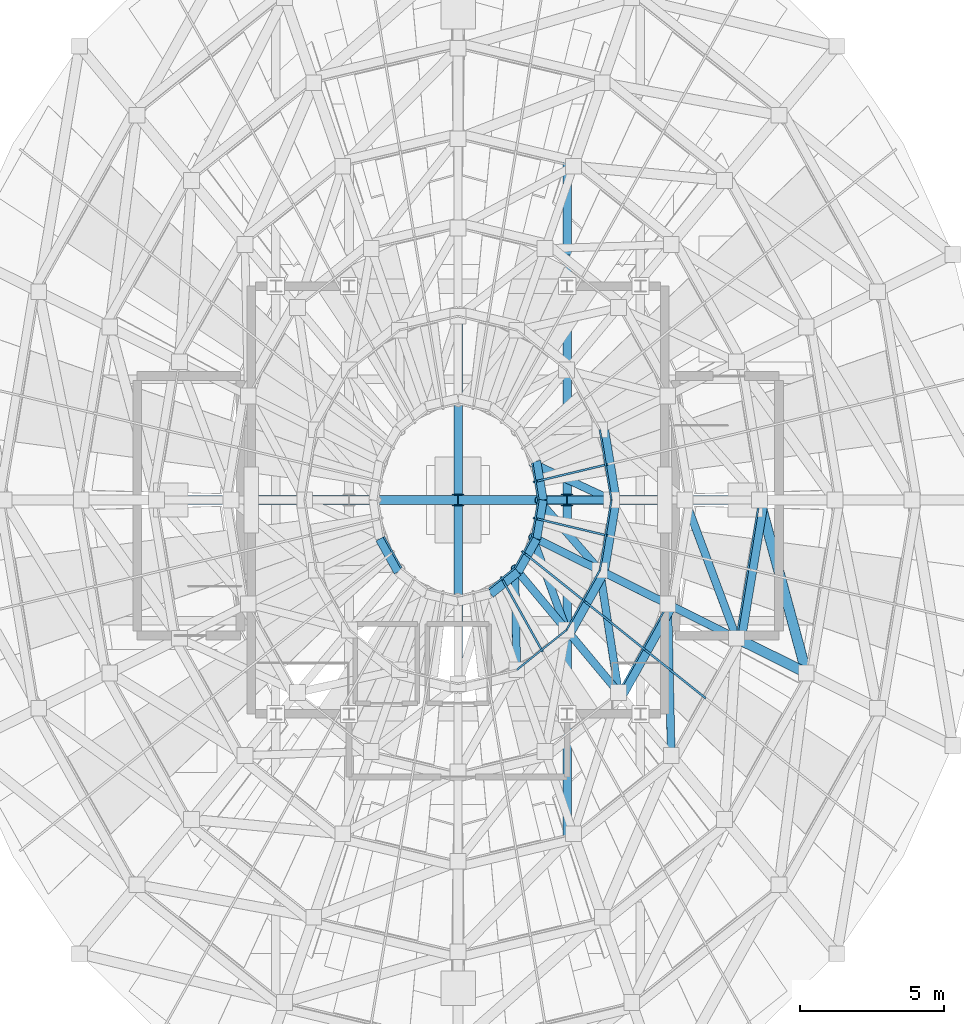
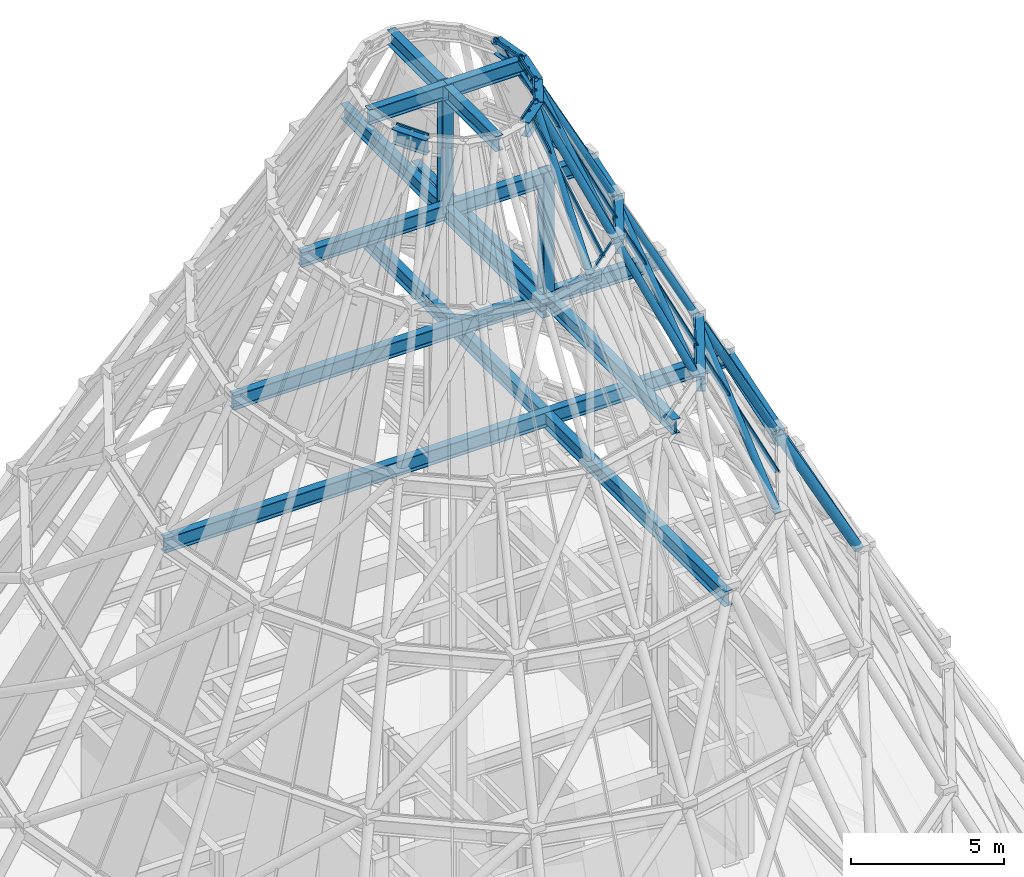
# One storey, part 6 of 16: 34 members, 18 beams, 4 elements without a shape of their own.
"""IFC4 building model written with IfcOpenShell, lengths in metres."""

from ifc_helpers import new_model, si_unit, direction, frame, origin, origin_2d, place, context, subcontext, project, spatial, hollow_rectangle, hollow_circle, i_section, extrude, material, layer, layer_set, material_profile, profile_set, type_object, element, aggregate, save


model = new_model("IFC4")

# Units and contexts
model_context = context("Model", 3, precision=1e-05, world=origin(), true_north=direction((0.0, 1.0)))
body_context = subcontext(model_context, "Body", "Model", "MODEL_VIEW")
ifc_project = project(units=[si_unit("LENGTHUNIT", "METRE"), si_unit("AREAUNIT", "SQUARE_METRE"), si_unit("VOLUMEUNIT", "CUBIC_METRE"), si_unit("PLANEANGLEUNIT", "RADIAN"), si_unit("MASSUNIT", "GRAM", prefix="KILO")], contexts=[model_context])

# Site, building, storey
site_placement = place(None, origin())
site = spatial("IfcSite", under=ifc_project, at=site_placement, CompositionType="ELEMENT")
building_placement = place(site_placement, origin())
building = spatial("IfcBuilding", under=site, at=building_placement, Name="Veldorina Hangang Commons", CompositionType="ELEMENT")
storey_placement = place(building_placement, frame((0.0, 0.0, 308.39990234375)))
storey = spatial("IfcBuildingStorey", under=building, at=storey_placement, Name="Crown", CompositionType="ELEMENT", Elevation=308.39990234375)

# Beams
ifc_material_1 = material(Name="Steel SM460-TMC", Category="steel")
ifc_material_profile_1 = material_profile(ifc_material_1, i_section(OverallWidth=0.300048828125, OverallDepth=0.587890625, WebThickness=0.011962890625, FlangeThickness=0.02001953125, FilletRadius=0.01806640625, at=origin_2d()), Name="H-588x300x12x20")
ifc_profile_set_1 = profile_set([ifc_material_profile_1], Name="Steel SM460-TMC")
beam_type = type_object("IfcBeamType", Name="BM-FG588", PredefinedType="BEAM", material=ifc_profile_set_1)
beam_1_placement = place(storey_placement, frame((35.800048828125, 12.057861328125, 14.10009765625), z_axis=(0.0, 1.0, 0.0), x_axis=(-1.0, 0.0, 0.0)))
element("IfcBeam", 1, at=beam_1_placement, inside=storey, type_object=beam_type, Name="Crown tier 3 E inner grillage beam", PredefinedType="BEAM", context=body_context, shape_type="SweptSolid", body=[
    extrude(i_section(OverallWidth=0.300048828125, OverallDepth=0.587890625, WebThickness=0.011962890625, FlangeThickness=0.02001953125, FilletRadius=0.01806640625, at=origin_2d()), origin(), (0.0, 0.0, 1.0), 23.88427734375),
])
beam_2_placement = place(storey_placement, frame((21.3349609375, 24.0, 14.10009765625), z_axis=(1.0, 0.0, 0.0), x_axis=(0.0, 1.0, 0.0)))
element("IfcBeam", 2, at=beam_2_placement, inside=storey, type_object=beam_type, Name="Crown tier 3 central east-west grillage beam", PredefinedType="BEAM", context=body_context, shape_type="SweptSolid", body=[
    extrude(i_section(OverallWidth=0.300048828125, OverallDepth=0.587890625, WebThickness=0.011962890625, FlangeThickness=0.02001953125, FilletRadius=0.01806640625, at=origin_2d()), origin(), (0.0, 0.0, 1.0), 21.330078125),
])
beam_3_placement = place(storey_placement, frame((41.853271484375, 19.10888671875, 14.10009765625), z_axis=(0.163728199347, 0.986505487435, 0.0), x_axis=(-0.986505487435, 0.163728199347, 0.0)))
element("IfcBeam", 3, at=beam_3_placement, inside=storey, type_object=beam_type, Name="Crown tier 3 ring beam 15", PredefinedType="BEAM", context=body_context, shape_type="SweptSolid", body=[
    extrude(i_section(OverallWidth=0.300048828125, OverallDepth=0.587890625, WebThickness=0.011962890625, FlangeThickness=0.02001953125, FilletRadius=0.01806640625, at=origin_2d()), origin(), (0.0, 0.0, 1.0), 4.9580078125),
])
beam_4_placement = place(storey_placement, frame((35.800048828125, 15.467041015625, 18.900146484375), z_axis=(0.0, 1.0, 0.0), x_axis=(-1.0, 0.0, 0.0)))
element("IfcBeam", 4, at=beam_4_placement, inside=storey, type_object=beam_type, Name="Crown tier 4 E inner grillage beam", PredefinedType="BEAM", context=body_context, shape_type="SweptSolid", body=[
    extrude(i_section(OverallWidth=0.300048828125, OverallDepth=0.587890625, WebThickness=0.011962890625, FlangeThickness=0.02001953125, FilletRadius=0.01806640625, at=origin_2d()), origin(), (0.0, 0.0, 1.0), 17.06591796875),
])
beam_5_placement = place(storey_placement, frame((23.92919921875, 24.0, 18.900146484375), z_axis=(1.0, 0.0, 0.0), x_axis=(0.0, 1.0, 0.0)))
element("IfcBeam", 5, at=beam_5_placement, inside=storey, type_object=beam_type, Name="Crown tier 4 central east-west grillage beam", PredefinedType="BEAM", context=body_context, shape_type="SweptSolid", body=[
    extrude(i_section(OverallWidth=0.300048828125, OverallDepth=0.587890625, WebThickness=0.011962890625, FlangeThickness=0.02001953125, FilletRadius=0.01806640625, at=origin_2d()), origin(), (0.0, 0.0, 1.0), 16.1416015625),
])
beam_6_placement = place(storey_placement, frame((37.70703125, 17.160888671875, 18.900146484375), z_axis=(0.486992551607, 0.873406122419, 0.0), x_axis=(-0.873406122419, 0.486992551607, 0.0)))
element("IfcBeam", 6, at=beam_6_placement, inside=storey, type_object=beam_type, Name="Crown tier 4 ring beam 14", PredefinedType="BEAM", context=body_context, shape_type="SweptSolid", body=[
    extrude(i_section(OverallWidth=0.300048828125, OverallDepth=0.587890625, WebThickness=0.011962890625, FlangeThickness=0.02001953125, FilletRadius=0.01806640625, at=origin_2d()), origin(), (0.0, 0.0, 1.0), 3.592529296875),
])
beam_7_placement = place(storey_placement, frame((26.49658203125, 24.0, 23.7001953125), z_axis=(1.0, 0.0, 0.0), x_axis=(0.0, 1.0, 0.0)))
element("IfcBeam", 7, at=beam_7_placement, inside=storey, type_object=beam_type, Name="Crown tier 5 spire tie beam", PredefinedType="BEAM", context=body_context, shape_type="SweptSolid", body=[
    extrude(i_section(OverallWidth=0.300048828125, OverallDepth=0.587890625, WebThickness=0.011962890625, FlangeThickness=0.02001953125, FilletRadius=0.01806640625, at=origin_2d()), origin(), (0.0, 0.0, 1.0), 11.0068359375),
])
beam_8_placement = place(storey_placement, frame((32.0, 17.40478515625, 23.7001953125), z_axis=(0.0, 1.0, 0.0), x_axis=(-1.0, 0.0, 0.0)))
element("IfcBeam", 8, at=beam_8_placement, inside=storey, type_object=beam_type, Name="Crown tier 5 north-south spire tie beam", PredefinedType="BEAM", context=body_context, shape_type="SweptSolid", body=[
    extrude(i_section(OverallWidth=0.300048828125, OverallDepth=0.587890625, WebThickness=0.011962890625, FlangeThickness=0.02001953125, FilletRadius=0.01806640625, at=origin_2d()), origin(), (0.0, 0.0, 1.0), 13.1904296875),
])
beam_9_placement = place(storey_placement, frame((37.50341796875, 24.0, 23.7001953125), z_axis=(-0.163764447307, 0.986499470754, 0.0), x_axis=(-0.986499470754, -0.163764447307, 0.0)))
element("IfcBeam", 9, at=beam_9_placement, inside=storey, type_object=beam_type, Name="Crown tier 5 ring beam 00", PredefinedType="BEAM", context=body_context, shape_type="SweptSolid", body=[
    extrude(i_section(OverallWidth=0.300048828125, OverallDepth=0.587890625, WebThickness=0.011962890625, FlangeThickness=0.02001953125, FilletRadius=0.01806640625, at=origin_2d()), origin(), (0.0, 0.0, 1.0), 2.55810546875),
])
beam_10_placement = place(storey_placement, frame((35.891357421875, 19.336669921875, 23.7001953125), z_axis=(0.487021535695, 0.873389960882, 0.0), x_axis=(-0.873389960882, 0.487021535695, 0.0)))
element("IfcBeam", 10, at=beam_10_placement, inside=storey, type_object=beam_type, Name="Crown tier 5 ring beam 14", PredefinedType="BEAM", context=body_context, shape_type="SweptSolid", body=[
    extrude(i_section(OverallWidth=0.300048828125, OverallDepth=0.587890625, WebThickness=0.011962890625, FlangeThickness=0.02001953125, FilletRadius=0.01806640625, at=origin_2d()), origin(), (0.0, 0.0, 1.0), 2.44970703125),
])
beam_11_placement = place(storey_placement, frame((37.08447265625, 21.476318359375, 23.7001953125), z_axis=(0.163764447307, 0.986499470754, 0.0), x_axis=(-0.986499470754, 0.163764447307, 0.0)))
element("IfcBeam", 11, at=beam_11_placement, inside=storey, type_object=beam_type, Name="Crown tier 5 ring beam 15", PredefinedType="BEAM", context=body_context, shape_type="SweptSolid", body=[
    extrude(i_section(OverallWidth=0.300048828125, OverallDepth=0.587890625, WebThickness=0.011962890625, FlangeThickness=0.02001953125, FilletRadius=0.01806640625, at=origin_2d()), origin(), (0.0, 0.0, 1.0), 2.55810546875),
])
beam_12_placement = place(storey_placement, frame((29.04345703125, 24.0, 28.5), z_axis=(1.0, 0.0, 0.0), x_axis=(0.0, 1.0, 0.0)))
element("IfcBeam", 12, at=beam_12_placement, inside=storey, type_object=beam_type, Name="Crown tier 6 east-west apex tie beam", PredefinedType="BEAM", context=body_context, shape_type="SweptSolid", body=[
    extrude(i_section(OverallWidth=0.300048828125, OverallDepth=0.587890625, WebThickness=0.011962890625, FlangeThickness=0.02001953125, FilletRadius=0.01806640625, at=origin_2d()), origin(), (0.0, 0.0, 1.0), 5.9130859375),
])
beam_13_placement = place(storey_placement, frame((32.0, 20.456787109375, 28.5), z_axis=(0.0, 1.0, 0.0), x_axis=(-1.0, 0.0, 0.0)))
element("IfcBeam", 13, at=beam_13_placement, inside=storey, type_object=beam_type, Name="Crown tier 6 north-south apex tie beam", PredefinedType="BEAM", context=body_context, shape_type="SweptSolid", body=[
    extrude(i_section(OverallWidth=0.300048828125, OverallDepth=0.587890625, WebThickness=0.011962890625, FlangeThickness=0.02001953125, FilletRadius=0.01806640625, at=origin_2d()), origin(), (0.0, 0.0, 1.0), 7.08642578125),
])
beam_14_placement = place(storey_placement, frame((34.95654296875, 24.0, 28.5), z_axis=(-0.16359241985, 0.986528012865, 0.0), x_axis=(-0.986528012865, -0.16359241985, 0.0)))
element("IfcBeam", 14, at=beam_14_placement, inside=storey, type_object=beam_type, Name="Crown tier 6 ring beam 00", PredefinedType="BEAM", context=body_context, shape_type="SweptSolid", body=[
    extrude(i_section(OverallWidth=0.300048828125, OverallDepth=0.587890625, WebThickness=0.011962890625, FlangeThickness=0.02001953125, FilletRadius=0.01806640625, at=origin_2d()), origin(), (0.0, 0.0, 1.0), 1.37451171875),
])
beam_15_placement = place(storey_placement, frame((29.268310546875, 22.64404296875, 28.5), z_axis=(0.487122733864, -0.873333522861, 0.0), x_axis=(0.873333522861, 0.487122733864, 0.0)))
element("IfcBeam", 15, at=beam_15_placement, inside=storey, type_object=beam_type, Name="Crown tier 6 ring beam 09", PredefinedType="BEAM", context=body_context, shape_type="SweptSolid", body=[
    extrude(i_section(OverallWidth=0.300048828125, OverallDepth=0.587890625, WebThickness=0.011962890625, FlangeThickness=0.02001953125, FilletRadius=0.01806640625, at=origin_2d()), origin(), (0.0, 0.0, 1.0), 1.316162109375),
])
beam_16_placement = place(storey_placement, frame((33.131591796875, 20.7265625, 28.5), z_axis=(0.780519739347, 0.625131135434, 0.0), x_axis=(-0.625131135434, 0.780519739347, 0.0)))
element("IfcBeam", 16, at=beam_16_placement, inside=storey, type_object=beam_type, Name="Crown tier 6 ring beam 13", PredefinedType="BEAM", context=body_context, shape_type="SweptSolid", body=[
    extrude(i_section(OverallWidth=0.300048828125, OverallDepth=0.587890625, WebThickness=0.011962890625, FlangeThickness=0.02001953125, FilletRadius=0.01806640625, at=origin_2d()), origin(), (0.0, 0.0, 1.0), 1.228759765625),
])
beam_17_placement = place(storey_placement, frame((34.090576171875, 21.49462890625, 28.5), z_axis=(0.487122733864, 0.873333522861, 0.0), x_axis=(-0.873333522861, 0.487122733864, 0.0)))
element("IfcBeam", 17, at=beam_17_placement, inside=storey, type_object=beam_type, Name="Crown tier 6 ring beam 14", PredefinedType="BEAM", context=body_context, shape_type="SweptSolid", body=[
    extrude(i_section(OverallWidth=0.300048828125, OverallDepth=0.587890625, WebThickness=0.011962890625, FlangeThickness=0.02001953125, FilletRadius=0.01806640625, at=origin_2d()), origin(), (0.0, 0.0, 1.0), 1.316162109375),
])
beam_18_placement = place(storey_placement, frame((34.731689453125, 22.64404296875, 28.5), z_axis=(0.16359241985, 0.986528012865, 0.0), x_axis=(-0.986528012865, 0.16359241985, 0.0)))
element("IfcBeam", 18, at=beam_18_placement, inside=storey, type_object=beam_type, Name="Crown tier 6 ring beam 15", PredefinedType="BEAM", context=body_context, shape_type="SweptSolid", body=[
    extrude(i_section(OverallWidth=0.300048828125, OverallDepth=0.587890625, WebThickness=0.011962890625, FlangeThickness=0.02001953125, FilletRadius=0.01806640625, at=origin_2d()), origin(), (0.0, 0.0, 1.0), 1.37451171875),
])

# Members
ifc_material_profile_2 = material_profile(ifc_material_1, i_section(OverallWidth=0.39990234375, OverallDepth=0.39990234375, WebThickness=0.012939453125, FlangeThickness=0.02099609375, FilletRadius=0.01806640625, at=origin_2d()), Name="H-400x400x13x21")
ifc_profile_set_2 = profile_set([ifc_material_profile_2], Name="Steel SM460-TMC")
member_type_1 = type_object("IfcMemberType", Name="CRN-POST-H400", PredefinedType="BRACE", material=ifc_profile_set_2)
for number, where, z_axis, x_axis, name in (
    (19, (35.800048828125, 24.0, 18.900146484375), (0.0, 0.0, 1.0), (1.0, 0.0, 0.0), "Crown tier 5 spire post E"),
    (20, (32.0, 24.0, 23.7001953125), (0.0, 0.0, 1.0), (1.0, 0.0, 0.0), "Crown tier 6 central spire mast"),
):
    element("IfcMember", number, at=place(storey_placement, frame(where, z_axis=z_axis, x_axis=x_axis)), inside=storey, type_object=member_type_1, Name=name, PredefinedType="BRACE", context=body_context, shape_type="SweptSolid", body=[
        extrude(i_section(OverallWidth=0.39990234375, OverallDepth=0.39990234375, WebThickness=0.012939453125, FlangeThickness=0.02099609375, FilletRadius=0.01806640625, at=origin_2d()), origin(), (0.0, 0.0, 1.0), 5.099853515625),
    ])
ifc_material_2 = material(Name="Steel SM355-TMC", Category="steel")
ifc_material_profile_3 = material_profile(ifc_material_2, hollow_circle(Radius=0.136474609375, WallThickness=0.011962890625, at=origin_2d()), Name="CHS-273.0x12")
ifc_profile_set_3 = profile_set([ifc_material_profile_3], Name="Steel SM355-TMC")
member_type_2 = type_object("IfcMemberType", Name="CRN-RIB273", PredefinedType="BRACE", material=ifc_profile_set_3)
member_1_placement = place(storey_placement, frame((39.42529296875, 15.1015625, 14.400146484375), z_axis=(-0.016606038844, 0.739294001469, 0.673177999392), x_axis=(-0.999747824183, -0.022456358592, 0.0)))
element("IfcMember", 21, at=member_1_placement, inside=storey, type_object=member_type_2, Name="Crown tier 4 CROWN FRAME diagrid brace 14", PredefinedType="BRACE", context=body_context, shape_type="SweptSolid", body=[
    extrude(hollow_circle(Radius=0.136474609375, WallThickness=0.011962890625, at=origin_2d()), origin(), (0.0, 0.0, 1.0), 7.13037109375),
])
member_2_placement = place(storey_placement, frame((41.70166015625, 19.18408203125, 14.400146484375), z_axis=(-0.435852985266, 0.216393520058, 0.873616632003), x_axis=(-0.444691596768, -0.895683752093, 0.0)))
element("IfcMember", 22, at=member_2_placement, inside=storey, type_object=member_type_2, Name="Crown tier 4 CROWN FRAME meridian rib 15", PredefinedType="BRACE", context=body_context, shape_type="SweptSolid", body=[
    extrude(hollow_circle(Radius=0.136474609375, WallThickness=0.011962890625, at=origin_2d()), origin(), (0.0, 0.0, 1.0), 5.494384765625),
])
member_3_placement = place(storey_placement, frame((41.70166015625, 19.18408203125, 14.400146484375), z_axis=(-0.254942280712, 0.684868776976, 0.6826120361), x_axis=(-0.93717381349, -0.348862785788, 0.0)))
element("IfcMember", 23, at=member_3_placement, inside=storey, type_object=member_type_2, Name="Crown tier 4 CROWN FRAME diagrid brace 15", PredefinedType="BRACE", context=body_context, shape_type="SweptSolid", body=[
    extrude(hollow_circle(Radius=0.136474609375, WallThickness=0.011962890625, at=origin_2d()), origin(), (0.0, 0.0, 1.0), 7.031982421875),
])
member_4_placement = place(storey_placement, frame((37.59228515625, 17.298095703125, 19.2001953125), z_axis=(-0.325541713887, 0.390159400333, 0.861277095278), x_axis=(-0.767825394616, -0.640659163193, 0.0)))
element("IfcMember", 24, at=member_4_placement, inside=storey, type_object=member_type_2, Name="Crown tier 5 CROWN FRAME meridian rib 14", PredefinedType="BRACE", context=body_context, shape_type="SweptSolid", body=[
    extrude(hollow_circle(Radius=0.136474609375, WallThickness=0.011962890625, at=origin_2d()), origin(), (0.0, 0.0, 1.0), 5.572998046875),
])
member_5_placement = place(storey_placement, frame((37.59228515625, 17.298095703125, 19.2001953125), z_axis=(-0.10177608333, 0.659631742161, 0.744666095371), x_axis=(-0.988305340523, -0.152487881136, 0.0)))
element("IfcMember", 25, at=member_5_placement, inside=storey, type_object=member_type_2, Name="Crown tier 5 CROWN FRAME diagrid brace 14", PredefinedType="BRACE", context=body_context, shape_type="SweptSolid", body=[
    extrude(hollow_circle(Radius=0.136474609375, WallThickness=0.011962890625, at=origin_2d()), origin(), (0.0, 0.0, 1.0), 6.445556640625),
])
member_6_placement = place(storey_placement, frame((39.306884765625, 20.373046875, 19.2001953125), z_axis=(-0.432504003521, 0.214693027495, 0.875698116295), x_axis=(-0.444628824746, -0.895714914582, 0.0)))
element("IfcMember", 26, at=member_6_placement, inside=storey, type_object=member_type_2, Name="Crown tier 5 CROWN FRAME meridian rib 15", PredefinedType="BRACE", context=body_context, shape_type="SweptSolid", body=[
    extrude(hollow_circle(Radius=0.136474609375, WallThickness=0.011962890625, at=origin_2d()), origin(), (0.0, 0.0, 1.0), 5.481201171875),
])
member_7_placement = place(storey_placement, frame((37.343017578125, 24.0, 24.0), z_axis=(-0.468492533363, 0.0, 0.883467456211), x_axis=(0.0, -1.0, 0.0)))
element("IfcMember", 27, at=member_7_placement, inside=storey, type_object=member_type_2, Name="Crown tier 6 CROWN FRAME meridian rib 00", PredefinedType="BRACE", context=body_context, shape_type="SweptSolid", body=[
    extrude(hollow_circle(Radius=0.136474609375, WallThickness=0.011962890625, at=origin_2d()), origin(), (0.0, 0.0, 1.0), 5.43310546875),
])
member_8_placement = place(storey_placement, frame((37.343017578125, 24.0, 24.0), z_axis=(-0.485373608509, 0.225760162216, 0.844656622137), x_axis=(-0.421738421892, -0.906717543395, 0.0)))
element("IfcMember", 28, at=member_8_placement, inside=storey, type_object=member_type_2, Name="Crown tier 6 CROWN FRAME diagrid brace 00", PredefinedType="BRACE", context=body_context, shape_type="SweptSolid", body=[
    extrude(hollow_circle(Radius=0.136474609375, WallThickness=0.011962890625, at=origin_2d()), origin(), (0.0, 0.0, 1.0), 5.682861328125),
])
member_9_placement = place(storey_placement, frame((34.044677734375, 18.08447265625, 24.0), z_axis=(-0.011168845525, 0.594035300431, 0.804361435383), x_axis=(-0.999823295772, -0.018798330561, 0.0)))
element("IfcMember", 29, at=member_9_placement, inside=storey, type_object=member_type_2, Name="Crown tier 6 CROWN FRAME diagrid brace 13", PredefinedType="BRACE", context=body_context, shape_type="SweptSolid", body=[
    extrude(hollow_circle(Radius=0.136474609375, WallThickness=0.011962890625, at=origin_2d()), origin(), (0.0, 0.0, 1.0), 5.967529296875),
])
member_10_placement = place(storey_placement, frame((35.778076171875, 19.472412109375, 24.0), z_axis=(-0.323647112636, 0.387823442308, 0.863044334944), x_axis=(-0.767772338623, -0.640722745067, 0.0)))
element("IfcMember", 30, at=member_10_placement, inside=storey, type_object=member_type_2, Name="Crown tier 6 CROWN FRAME meridian rib 14", PredefinedType="BRACE", context=body_context, shape_type="SweptSolid", body=[
    extrude(hollow_circle(Radius=0.136474609375, WallThickness=0.011962890625, at=origin_2d()), origin(), (0.0, 0.0, 1.0), 5.561767578125),
])
member_11_placement = place(storey_placement, frame((35.778076171875, 19.472412109375, 24.0), z_axis=(-0.201737053965, 0.548503569392, 0.81144685311), x_axis=(-0.938533474823, -0.345188233629, 0.0)))
element("IfcMember", 31, at=member_11_placement, inside=storey, type_object=member_type_2, Name="Crown tier 6 CROWN FRAME diagrid brace 14", PredefinedType="BRACE", context=body_context, shape_type="SweptSolid", body=[
    extrude(hollow_circle(Radius=0.136474609375, WallThickness=0.011962890625, at=origin_2d()), origin(), (0.0, 0.0, 1.0), 5.91552734375),
])
member_12_placement = place(storey_placement, frame((36.936279296875, 21.5498046875, 24.0), z_axis=(-0.429816591841, 0.213346462374, 0.877348838474), x_axis=(-0.444607847719, -0.895725327177, 0.0)))
element("IfcMember", 32, at=member_12_placement, inside=storey, type_object=member_type_2, Name="Crown tier 6 CROWN FRAME meridian rib 15", PredefinedType="BRACE", context=body_context, shape_type="SweptSolid", body=[
    extrude(hollow_circle(Radius=0.136474609375, WallThickness=0.011962890625, at=origin_2d()), origin(), (0.0, 0.0, 1.0), 5.47119140625),
])
member_13_placement = place(storey_placement, frame((36.936279296875, 21.5498046875, 24.0), z_axis=(-0.368858023271, 0.422586657711, 0.827867305426), x_axis=(-0.753375972268, -0.657590027608, 0.0)))
element("IfcMember", 33, at=member_13_placement, inside=storey, type_object=member_type_2, Name="Crown tier 6 CROWN FRAME diagrid brace 15", PredefinedType="BRACE", context=body_context, shape_type="SweptSolid", body=[
    extrude(hollow_circle(Radius=0.136474609375, WallThickness=0.011962890625, at=origin_2d()), origin(), (0.0, 0.0, 1.0), 5.798095703125),
])
ifc_material_profile_4 = material_profile(ifc_material_2, hollow_circle(Radius=0.177734375, WallThickness=0.01611328125, at=origin_2d()), Name="CHS-355.6x16")
ifc_profile_set_4 = profile_set([ifc_material_profile_4], Name="Steel SM355-TMC")
member_type_3 = type_object("IfcMemberType", Name="CRN-RIB355", PredefinedType="BRACE", material=ifc_profile_set_4)
member_14_placement = place(storey_placement, frame((44.129150390625, 17.979248046875, 9.60009765625), z_axis=(-0.440381719039, 0.21857425158, 0.870798046669), x_axis=(-0.444581110507, -0.89573859813, 0.0)))
element("IfcMember", 34, at=member_14_placement, inside=storey, type_object=member_type_3, Name="Crown tier 3 CROWN FRAME meridian rib 15", PredefinedType="BRACE", context=body_context, shape_type="SweptSolid", body=[
    extrude(hollow_circle(Radius=0.177734375, WallThickness=0.01611328125, at=origin_2d()), origin(), (0.0, 0.0, 1.0), 5.51220703125),
])
member_15_placement = place(storey_placement, frame((44.129150390625, 17.979248046875, 9.60009765625), z_axis=(-0.206876952004, 0.765001126612, 0.609897698809), x_axis=(-0.965325278148, -0.261050009325, 0.0)))
element("IfcMember", 35, at=member_15_placement, inside=storey, type_object=member_type_3, Name="Crown tier 3 CROWN FRAME diagrid brace 15", PredefinedType="BRACE", context=body_context, shape_type="SweptSolid", body=[
    extrude(hollow_circle(Radius=0.177734375, WallThickness=0.01611328125, at=origin_2d()), origin(), (0.0, 0.0, 1.0), 7.870361328125),
])

# Curtain wall, member
ifc_material_3 = material(Name="Glass Low-Iron Laminated", Category="glass")
ifc_layer = layer(ifc_material_3, 0.179931640625)
ifc_layer_set = layer_set([ifc_layer], Name="Glass Low-Iron Laminated")
curtain_wall_type = type_object("IfcCurtainWallType", Name="CW-SYS-CRN", PredefinedType="NOTDEFINED", material=ifc_layer_set)
curtain_wall_1_placement = place(storey_placement, origin())
curtain_wall_1 = element("IfcCurtainWall", 36, at=curtain_wall_1_placement, inside=storey, type_object=curtain_wall_type, Name="Crown glass-point sloped pyramidal curtain wall tier 4", PredefinedType="NOTDEFINED")
ifc_material_4 = material(Name="Aluminium Anodized AA6063-T6", Category="aluminium")
ifc_material_profile_5 = material_profile(ifc_material_4, hollow_rectangle(XDim=0.070068359375, YDim=0.179931640625, WallThickness=0.00390625, at=origin_2d()), Name="ALU-RHS-180x70x4")
ifc_profile_set_5 = profile_set([ifc_material_profile_5], Name="Aluminium Anodized AA6063-T6")
member_type_4 = type_object("IfcMemberType", Name="CW-MUL-180", PredefinedType="MULLION", material=ifc_profile_set_5)
member_16_placement = place(storey_placement, frame((40.5634765625, 17.142822265625, 14.400146484375), z_axis=(-0.383534533147, 0.307164293468, 0.870948539641), x_axis=(-0.625112734885, -0.780534476295, 0.0)))
member_16 = element("IfcMember", 37, at=member_16_placement, type_object=member_type_4, Name="CW-CRN-T4 sloped mid-facet mullion 15", PredefinedType="MULLION", context=body_context, shape_type="SweptSolid", body=[
    extrude(hollow_rectangle(XDim=0.070068359375, YDim=0.179931640625, WallThickness=0.00390625, at=origin_2d()), origin(), (0.0, 0.0, 1.0), 5.51123046875),
])

curtain_wall_2_placement = place(storey_placement, origin())
curtain_wall_2 = element("IfcCurtainWall", 38, at=curtain_wall_2_placement, inside=storey, type_object=curtain_wall_type, Name="Crown glass-point sloped pyramidal curtain wall tier 5", PredefinedType="NOTDEFINED")
member_17_placement = place(storey_placement, frame((38.44970703125, 18.835693359375, 19.2001953125), z_axis=(-0.38062719347, 0.304732680153, 0.873075559867), x_axis=(-0.624983791766, -0.780637726497, 0.0)))
member_17 = element("IfcMember", 39, at=member_17_placement, type_object=member_type_4, Name="CW-CRN-T5 sloped mid-facet mullion 15", PredefinedType="MULLION", context=body_context, shape_type="SweptSolid", body=[
    extrude(hollow_rectangle(XDim=0.070068359375, YDim=0.179931640625, WallThickness=0.00390625, at=origin_2d()), origin(), (0.0, 0.0, 1.0), 5.49755859375),
])

# Curtain wall, members
curtain_wall_3_placement = place(storey_placement, origin())
curtain_wall_3 = element("IfcCurtainWall", 40, at=curtain_wall_3_placement, inside=storey, type_object=curtain_wall_type, Name="Crown glass-point sloped pyramidal curtain wall tier 6", PredefinedType="NOTDEFINED")
member_18_placement = place(storey_placement, frame((37.139404296875, 25.22509765625, 24.0), z_axis=(-0.451715109395, -0.10770351282, 0.885637292163), x_axis=(0.231930879078, -0.972732269091, 0.0)))
member_18 = element("IfcMember", 41, at=member_18_placement, type_object=member_type_4, Name="CW-CRN-T6 sloped mid-facet mullion 1", PredefinedType="MULLION", context=body_context, shape_type="SweptSolid", body=[
    extrude(hollow_rectangle(XDim=0.070068359375, YDim=0.179931640625, WallThickness=0.00390625, at=origin_2d()), origin(), (0.0, 0.0, 1.0), 5.419921875),
])
member_19_placement = place(storey_placement, frame((34.911376953125, 18.778564453125, 24.0), z_axis=(-0.248497278817, 0.445685402898, 0.860007920931), x_axis=(-0.87341225589, -0.486981551253, 0.0)))
member_19 = element("IfcMember", 42, at=member_19_placement, type_object=member_type_4, Name="CW-CRN-T6 sloped mid-facet mullion 14", PredefinedType="MULLION", context=body_context, shape_type="SweptSolid", body=[
    extrude(hollow_rectangle(XDim=0.070068359375, YDim=0.179931640625, WallThickness=0.00390625, at=origin_2d()), origin(), (0.0, 0.0, 1.0), 5.581298828125),
])
member_20_placement = place(storey_placement, frame((36.357177734375, 20.510986328125, 24.0), z_axis=(-0.378263710476, 0.302895711706, 0.874740391869), x_axis=(-0.625053270909, -0.780582095956, 0.0)))
member_20 = element("IfcMember", 43, at=member_20_placement, type_object=member_type_4, Name="CW-CRN-T6 sloped mid-facet mullion 15", PredefinedType="MULLION", context=body_context, shape_type="SweptSolid", body=[
    extrude(hollow_rectangle(XDim=0.070068359375, YDim=0.179931640625, WallThickness=0.00390625, at=origin_2d()), origin(), (0.0, 0.0, 1.0), 5.4873046875),
])
member_21_placement = place(storey_placement, frame((37.139404296875, 22.77490234375, 24.0), z_axis=(-0.451715109395, 0.10770351282, 0.885637292163), x_axis=(-0.231930879078, -0.972732269091, 0.0)))
member_21 = element("IfcMember", 44, at=member_21_placement, type_object=member_type_4, Name="CW-CRN-T6 sloped mid-facet mullion 16", PredefinedType="MULLION", context=body_context, shape_type="SweptSolid", body=[
    extrude(hollow_rectangle(XDim=0.070068359375, YDim=0.179931640625, WallThickness=0.00390625, at=origin_2d()), origin(), (0.0, 0.0, 1.0), 5.419921875),
])

# Curtain wall, member
curtain_wall_4_placement = place(storey_placement, origin())
curtain_wall_4 = element("IfcCurtainWall", 45, at=curtain_wall_4_placement, inside=storey, type_object=curtain_wall_type, Name="Crown glass-point sloped pyramidal curtain wall tier 3", PredefinedType="NOTDEFINED")
ifc_material_profile_6 = material_profile(ifc_material_4, hollow_rectangle(XDim=0.06005859375, YDim=0.139892578125, WallThickness=0.00341796875, at=origin_2d()), Name="ALU-RHS-140x60x3.5")
ifc_profile_set_6 = profile_set([ifc_material_profile_6], Name="Aluminium Anodized AA6063-T6")
member_type_5 = type_object("IfcMemberType", Name="CW-TRN-140", PredefinedType="USERDEFINED", material=ifc_profile_set_6)
member_22_placement = place(storey_placement, frame((41.70166015625, 19.18408203125, 14.400146484375), z_axis=(0.163733947204, 0.986504533458, 0.0), x_axis=(-0.986504533458, 0.163733947204, 0.0)))
member_22 = element("IfcMember", 46, at=member_22_placement, type_object=member_type_5, Name="CW-CRN-T3 horizontal ring transom 16", ObjectType="TRANSOM", PredefinedType="USERDEFINED", context=body_context, shape_type="SweptSolid", body=[
    extrude(hollow_rectangle(XDim=0.06005859375, YDim=0.139892578125, WallThickness=0.00341796875, at=origin_2d()), origin(), (0.0, 0.0, 1.0), 4.8818359375),
])
aggregate(curtain_wall_4, [member_22])

# Member
member_23_placement = place(storey_placement, frame((37.59228515625, 17.298095703125, 19.2001953125), z_axis=(0.487008299347, 0.873397341631, 0.0), x_axis=(-0.873397341631, 0.487008299347, 0.0)))
member_23 = element("IfcMember", 47, at=member_23_placement, type_object=member_type_5, Name="CW-CRN-T4 horizontal ring transom 15", ObjectType="TRANSOM", PredefinedType="USERDEFINED", context=body_context, shape_type="SweptSolid", body=[
    extrude(hollow_rectangle(XDim=0.06005859375, YDim=0.139892578125, WallThickness=0.00341796875, at=origin_2d()), origin(), (0.0, 0.0, 1.0), 3.520751953125),
])

aggregate(curtain_wall_1, [member_16, member_23])

member_24_placement = place(storey_placement, frame((37.343017578125, 24.0, 24.0), z_axis=(-0.163761356427, 0.986499983853, 0.0), x_axis=(-0.986499983853, -0.163761356427, 0.0)))
member_24 = element("IfcMember", 48, at=member_24_placement, type_object=member_type_5, Name="CW-CRN-T5 horizontal ring transom 1", ObjectType="TRANSOM", PredefinedType="USERDEFINED", context=body_context, shape_type="SweptSolid", body=[
    extrude(hollow_rectangle(XDim=0.06005859375, YDim=0.139892578125, WallThickness=0.00341796875, at=origin_2d()), origin(), (0.0, 0.0, 1.0), 2.483642578125),
])

member_25_placement = place(storey_placement, frame((34.044677734375, 18.08447265625, 24.0), z_axis=(0.780600582028, 0.625030184342, 0.0), x_axis=(-0.625030184342, 0.780600582028, 0.0)))
member_25 = element("IfcMember", 49, at=member_25_placement, type_object=member_type_5, Name="CW-CRN-T5 horizontal ring transom 14", ObjectType="TRANSOM", PredefinedType="USERDEFINED", context=body_context, shape_type="SweptSolid", body=[
    extrude(hollow_rectangle(XDim=0.06005859375, YDim=0.139892578125, WallThickness=0.00341796875, at=origin_2d()), origin(), (0.0, 0.0, 1.0), 2.220703125),
])

member_26_placement = place(storey_placement, frame((35.778076171875, 19.472412109375, 24.0), z_axis=(0.486958395627, 0.873425166187, 0.0), x_axis=(-0.873425166187, 0.486958395627, 0.0)))
member_26 = element("IfcMember", 50, at=member_26_placement, type_object=member_type_5, Name="CW-CRN-T5 horizontal ring transom 15", ObjectType="TRANSOM", PredefinedType="USERDEFINED", context=body_context, shape_type="SweptSolid", body=[
    extrude(hollow_rectangle(XDim=0.06005859375, YDim=0.139892578125, WallThickness=0.00341796875, at=origin_2d()), origin(), (0.0, 0.0, 1.0), 2.37841796875),
])

member_27_placement = place(storey_placement, frame((36.936279296875, 21.5498046875, 24.0), z_axis=(0.163761356427, 0.986499983853, 0.0), x_axis=(-0.986499983853, 0.163761356427, 0.0)))
member_27 = element("IfcMember", 51, at=member_27_placement, type_object=member_type_5, Name="CW-CRN-T5 horizontal ring transom 16", ObjectType="TRANSOM", PredefinedType="USERDEFINED", context=body_context, shape_type="SweptSolid", body=[
    extrude(hollow_rectangle(XDim=0.06005859375, YDim=0.139892578125, WallThickness=0.00341796875, at=origin_2d()), origin(), (0.0, 0.0, 1.0), 2.483642578125),
])

aggregate(curtain_wall_2, [member_24, member_25, member_17, member_26, member_27])

member_28_placement = place(storey_placement, frame((34.797607421875, 24.0, 28.800048828125), z_axis=(-0.163698771376, 0.986510371081, 0.0), x_axis=(-0.986510371081, -0.163698771376, 0.0)))
member_28 = element("IfcMember", 52, at=member_28_placement, type_object=member_type_5, Name="CW-CRN-T6 horizontal ring transom 1", ObjectType="TRANSOM", PredefinedType="USERDEFINED", context=body_context, shape_type="SweptSolid", body=[
    extrude(hollow_rectangle(XDim=0.06005859375, YDim=0.139892578125, WallThickness=0.00341796875, at=origin_2d()), origin(), (0.0, 0.0, 1.0), 1.300537109375),
])

member_29_placement = place(storey_placement, frame((29.415283203125, 22.717041015625, 28.800048828125), z_axis=(0.487140200596, -0.873323780143, 0.0), x_axis=(0.873323780143, 0.487140200596, 0.0)))
member_29 = element("IfcMember", 53, at=member_29_placement, type_object=member_type_5, Name="CW-CRN-T6 horizontal ring transom 10", ObjectType="TRANSOM", PredefinedType="USERDEFINED", context=body_context, shape_type="SweptSolid", body=[
    extrude(hollow_rectangle(XDim=0.06005859375, YDim=0.139892578125, WallThickness=0.00341796875, at=origin_2d()), origin(), (0.0, 0.0, 1.0), 1.245361328125),
])

member_30_placement = place(storey_placement, frame((33.070556640625, 20.902587890625, 28.800048828125), z_axis=(0.780520417532, 0.625130288672, 0.0), x_axis=(-0.625130288672, 0.780520417532, 0.0)))
member_30 = element("IfcMember", 54, at=member_30_placement, type_object=member_type_5, Name="CW-CRN-T6 horizontal ring transom 14", ObjectType="TRANSOM", PredefinedType="USERDEFINED", context=body_context, shape_type="SweptSolid", body=[
    extrude(hollow_rectangle(XDim=0.06005859375, YDim=0.139892578125, WallThickness=0.00341796875, at=origin_2d()), origin(), (0.0, 0.0, 1.0), 1.16259765625),
])

member_31_placement = place(storey_placement, frame((33.97802734375, 21.62939453125, 28.800048828125), z_axis=(0.487140200596, 0.873323780143, 0.0), x_axis=(-0.873323780143, 0.487140200596, 0.0)))
member_31 = element("IfcMember", 55, at=member_31_placement, type_object=member_type_5, Name="CW-CRN-T6 horizontal ring transom 15", ObjectType="TRANSOM", PredefinedType="USERDEFINED", context=body_context, shape_type="SweptSolid", body=[
    extrude(hollow_rectangle(XDim=0.06005859375, YDim=0.139892578125, WallThickness=0.00341796875, at=origin_2d()), origin(), (0.0, 0.0, 1.0), 1.245361328125),
])

member_32_placement = place(storey_placement, frame((34.584716796875, 22.717041015625, 28.800048828125), z_axis=(0.163698771376, 0.986510371081, 0.0), x_axis=(-0.986510371081, 0.163698771376, 0.0)))
member_32 = element("IfcMember", 56, at=member_32_placement, type_object=member_type_5, Name="CW-CRN-T6 horizontal ring transom 16", ObjectType="TRANSOM", PredefinedType="USERDEFINED", context=body_context, shape_type="SweptSolid", body=[
    extrude(hollow_rectangle(XDim=0.06005859375, YDim=0.139892578125, WallThickness=0.00341796875, at=origin_2d()), origin(), (0.0, 0.0, 1.0), 1.300537109375),
])

aggregate(curtain_wall_3, [member_18, member_28, member_29, member_19, member_30, member_20, member_31, member_21, member_32])

save(model, "model.ifc")
